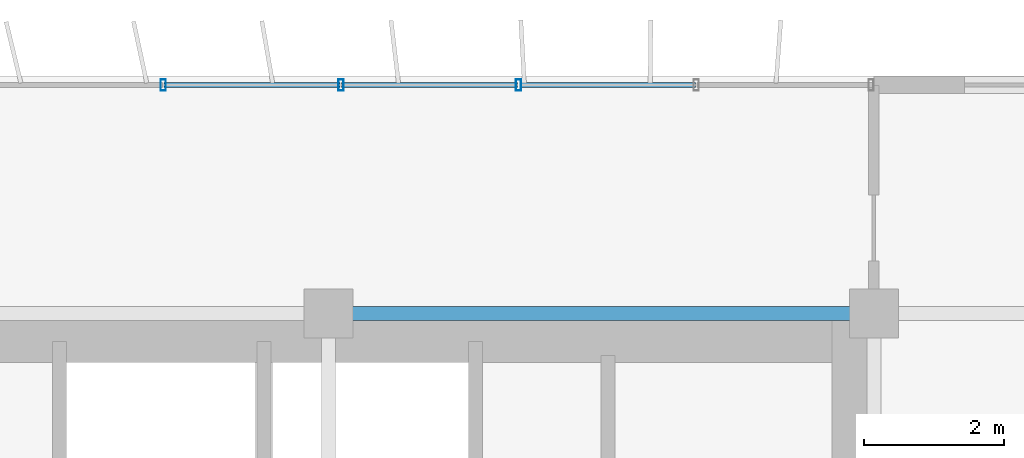
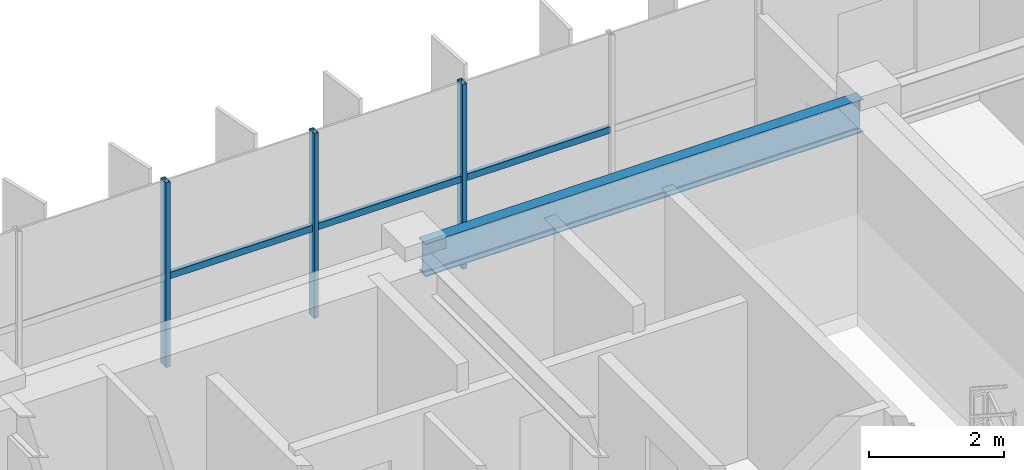
# One storey, part 10 of 21: 6 members, 1 beam, 1 element without a shape of its own.
"""IFC4 building model written with IfcOpenShell, lengths in metres."""

import ifcopenshell
import ifcopenshell.guid

model = None  # the IFC model being written
_history = None  # IfcOwnerHistory: only IFC2X3 demands one
_inside = {}  # id of a spatial element -> (the spatial element, [elements in it])
_under = {}  # id of a project, library or spatial element -> (it, [spatial elements below it])
_declared = {}  # id of a project -> (the project, [libraries it declares])
_typed = {}  # id of a type object -> (the type object, [elements of that type])
_made_of = {}  # id of a material, layer set ... -> (it, [elements and type objects made of it])


def new_model(schema):
    """Start an empty IFC model of exactly this schema.

    Asked for "IFC4X3", IfcOpenShell would pick the latest addendum, in which some entities
    have other attributes; the version numbers below select the first issue.
    IFC2X3 requires an IfcOwnerHistory on every rooted entity: one is made here for all.
    """
    global model, _history
    if schema == "IFC4X3":
        model = ifcopenshell.file(schema_version=(4, 3, 0, 0))
    else:
        model = ifcopenshell.file(schema=schema)
    _inside.clear()
    _under.clear()
    _declared.clear()
    _typed.clear()
    _made_of.clear()
    _history = None
    if model.schema == "IFC2X3":
        org = make("IfcOrganization", Name="unknown")
        user = make(
            "IfcPersonAndOrganization",
            ThePerson=make("IfcPerson", FamilyName="unknown"),
            TheOrganization=org,
        )
        app = make(
            "IfcApplication",
            ApplicationDeveloper=org,
            Version="unknown",
            ApplicationFullName="unknown",
            ApplicationIdentifier="unknown",
        )
        _history = make(
            "IfcOwnerHistory",
            OwningUser=user,
            OwningApplication=app,
            ChangeAction="ADDED",
            CreationDate=0,
        )
    return model


def make(cls, **values):
    """One entity of the class cls with the attributes given. An attribute that is None is left unset."""
    return model.create_entity(
        cls, **{name: value for name, value in values.items() if value is not None}
    )


def rooted(cls, **values):
    """An entity with a GlobalId (a new one), such as an element, a storey or a relation."""
    return make(cls, GlobalId=ifcopenshell.guid.new(), OwnerHistory=_history, **values)


def si_unit(unit_type, name, prefix=None):
    """IfcSIUnit, for example si_unit("LENGTHUNIT", "METRE", prefix="MILLI")."""
    return make("IfcSIUnit", UnitType=unit_type, Prefix=prefix, Name=name)


def assignment(units):
    """IfcUnitAssignment: the units of a project."""
    return None if units is None else make("IfcUnitAssignment", Units=units)


def point(xyz):
    """IfcCartesianPoint."""
    return None if xyz is None else make("IfcCartesianPoint", Coordinates=xyz)


def direction(xyz):
    """IfcDirection."""
    return None if xyz is None else make("IfcDirection", DirectionRatios=xyz)


def frame(location, z_axis=None, x_axis=None):
    """IfcAxis2Placement3D, a coordinate frame: its origin and axes. An axis left out is left unset."""
    return make(
        "IfcAxis2Placement3D",
        Location=point(location),
        Axis=direction(z_axis),
        RefDirection=direction(x_axis),
    )


def frame_2d(location, x_axis=None):
    """IfcAxis2Placement2D, a coordinate frame in the plane: its origin and x axis."""
    return make(
        "IfcAxis2Placement2D", Location=point(location), RefDirection=direction(x_axis)
    )


def origin():
    """The frame at (0, 0, 0) with its axes left unset."""
    return frame((0.0, 0.0, 0.0))


def origin_2d():
    """The frame at (0, 0) in the plane with its x axis left unset."""
    return frame_2d((0.0, 0.0))


def place(relative_to, where):
    """IfcLocalPlacement: puts the frame where relative to a parent placement (None: the world)."""
    return make(
        "IfcLocalPlacement", PlacementRelTo=relative_to, RelativePlacement=where
    )


def context(
    kind, dimensions, precision=None, world=None, true_north=None, identifier=None
):
    """IfcGeometricRepresentationContext, for example the 3D "Model" context."""
    return make(
        "IfcGeometricRepresentationContext",
        ContextIdentifier=identifier,
        ContextType=kind,
        CoordinateSpaceDimension=dimensions,
        Precision=precision,
        WorldCoordinateSystem=world,
        TrueNorth=true_north,
    )


def subcontext(parent, identifier, kind, view, scale=None):
    """IfcGeometricRepresentationSubContext, for example "Body" below "Model"."""
    return make(
        "IfcGeometricRepresentationSubContext",
        ContextIdentifier=identifier,
        ContextType=kind,
        ParentContext=parent,
        TargetScale=scale,
        TargetView=view,
    )


def project(units=None, contexts=None):
    """IfcProject with its units and contexts."""
    return rooted(
        "IfcProject",
        Name="project",
        RepresentationContexts=contexts,
        UnitsInContext=assignment(units),
    )


def spatial(cls, under=None, at=None, **own):
    """A site, building, storey or space (cls), placed at a placement, below another one or the project."""
    s = rooted(cls, ObjectPlacement=at, **own)
    if under is not None:
        _under.setdefault(under.id(), (under, []))[1].append(s)
    return s


def profile(cls, at=None, kind="AREA", **sizes):
    """A parametric profile (cls). Its sizes go by their IFC names, for example OverallWidth=200.0."""
    return make(cls, ProfileType=kind, Position=at, **sizes)


def hollow_rectangle(**sizes):
    """IfcRectangleHollowProfileDef."""
    return profile("IfcRectangleHollowProfileDef", **sizes)


def i_section(**sizes):
    """IfcIShapeProfileDef."""
    return profile("IfcIShapeProfileDef", **sizes)


def extrude(swept, where, along, depth):
    """IfcExtrudedAreaSolid: the profile swept, set in the frame where, extruded along a direction by depth."""
    return make(
        "IfcExtrudedAreaSolid",
        SweptArea=swept,
        Position=where,
        ExtrudedDirection=direction(along),
        Depth=depth,
    )


def shape(context_of_items, identifier, shape_type, items):
    """IfcShapeRepresentation: the items that make up one representation, for example the "Body"."""
    return make(
        "IfcShapeRepresentation",
        ContextOfItems=context_of_items,
        RepresentationIdentifier=identifier,
        RepresentationType=shape_type,
        Items=items,
    )


def source(mapping_origin, context_of_items, identifier, shape_type, items):
    """IfcRepresentationMap: a shape defined once, which mapped items show again and again."""
    return make(
        "IfcRepresentationMap",
        MappingOrigin=mapping_origin,
        MappedRepresentation=shape(context_of_items, identifier, shape_type, items),
    )


def transform(
    local_origin,
    x_axis=None,
    y_axis=None,
    z_axis=None,
    scale=None,
    scale2=None,
    scale3=None,
    uniform=True,
):
    """IfcCartesianTransformationOperator3D, or its non-uniform kind. x_axis, y_axis, z_axis: its Axis1, 2, 3."""
    if uniform:
        return make(
            "IfcCartesianTransformationOperator3D",
            Axis1=direction(x_axis),
            Axis2=direction(y_axis),
            LocalOrigin=point(local_origin),
            Scale=scale,
            Axis3=direction(z_axis),
        )
    return make(
        "IfcCartesianTransformationOperator3DnonUniform",
        Axis1=direction(x_axis),
        Axis2=direction(y_axis),
        LocalOrigin=point(local_origin),
        Scale=scale,
        Axis3=direction(z_axis),
        Scale2=scale2,
        Scale3=scale3,
    )


def mapped(mapping_source, mapping_target):
    """IfcMappedItem: shows the shape of a source again, moved by a transform."""
    return make(
        "IfcMappedItem", MappingSource=mapping_source, MappingTarget=mapping_target
    )


def material(Name=None, Category=None):
    """IfcMaterial."""
    return make("IfcMaterial", Name=Name, Category=Category)


def material_profile(
    of_material, cross_section, Name=None, Category=None, Priority=None
):
    """IfcMaterialProfile: a cross section and its material."""
    return make(
        "IfcMaterialProfile",
        Name=Name,
        Material=of_material,
        Profile=cross_section,
        Priority=Priority,
        Category=Category,
    )


def profile_set(profiles, Name=None, composite=None):
    """IfcMaterialProfileSet."""
    return make(
        "IfcMaterialProfileSet",
        Name=Name,
        MaterialProfiles=profiles,
        CompositeProfile=composite,
    )


def made_of(thing, what):
    """Note that an element or type object is made of a material, layer set ...; save() writes the relation."""
    if what is not None:
        _made_of.setdefault(what.id(), (what, []))[1].append(thing)
    return thing


def type_object(cls, material=None, **own):
    """A type object (cls), such as IfcWallType, which elements share."""
    return made_of(rooted(cls, **own), material)


def element(
    cls,
    number,
    at=None,
    inside=None,
    cuts=None,
    type_object=None,
    material=None,
    context=None,
    identifier="Body",
    shape_type=None,
    held_by="IfcProductDefinitionShape",
    body=None,
    shapes=None,
    **own,
):
    """One element of the class cls, such as IfcWall. Its Tag is "e" and its number.

    at: its placement. inside: the storey or other place that contains it. cuts: it is an
    opening in that element (IfcRelVoidsElement). A single representation is given by context,
    identifier, shape_type and body (its items); several are given by shapes. held_by: the class
    of the entity that holds the representations. save() writes the other relations.
    """
    e = rooted(cls, Tag="e%d" % number, ObjectPlacement=at, **own)
    if body is not None:
        shapes = [shape(context, identifier, shape_type, body)]
    if shapes is not None:
        e.Representation = make(held_by, Representations=shapes)
    if inside is not None:
        _inside.setdefault(inside.id(), (inside, []))[1].append(e)
    if cuts is not None:
        rooted(
            "IfcRelVoidsElement", RelatingBuildingElement=cuts, RelatedOpeningElement=e
        )
    if type_object is not None:
        _typed.setdefault(type_object.id(), (type_object, []))[1].append(e)
    return made_of(e, material)


def aggregate(whole, parts):
    """IfcRelAggregates: a whole, such as a stair, and the parts it consists of."""
    return rooted("IfcRelAggregates", RelatingObject=whole, RelatedObjects=parts)


def save(model, path):
    """Write the relations noted so far, then the file.

    IfcRelAggregates (storeys below a building ...), IfcRelContainedInSpatialStructure (elements
    in a storey), IfcRelDefinesByType, IfcRelAssociatesMaterial and IfcRelDeclares: one each for
    every whole, place, type object, material and project.
    """
    for whole, parts in _under.values():
        aggregate(whole, parts)
    for where, things in _inside.values():
        rooted(
            "IfcRelContainedInSpatialStructure",
            RelatedElements=things,
            RelatingStructure=where,
        )
    for kind, things in _typed.values():
        rooted("IfcRelDefinesByType", RelatedObjects=things, RelatingType=kind)
    for what, things in _made_of.values():
        rooted("IfcRelAssociatesMaterial", RelatedObjects=things, RelatingMaterial=what)
    for by, libraries in _declared.values():
        rooted("IfcRelDeclares", RelatingContext=by, RelatedDefinitions=libraries)
    model.write(path)


model = new_model("IFC4")

# Units and contexts
model_context = context("Model", 3, precision=1e-05, world=origin(), true_north=direction((0.0, 1.0)))
body_context = subcontext(model_context, "Body", "Model", "MODEL_VIEW")
ifc_project = project(units=[si_unit("LENGTHUNIT", "METRE"), si_unit("AREAUNIT", "SQUARE_METRE"), si_unit("VOLUMEUNIT", "CUBIC_METRE"), si_unit("PLANEANGLEUNIT", "RADIAN"), si_unit("MASSUNIT", "GRAM", prefix="KILO")], contexts=[model_context])

# Site, building, storey
site_placement = place(None, origin())
site = spatial("IfcSite", under=ifc_project, at=site_placement, CompositionType="ELEMENT")
building_placement = place(site_placement, origin())
building = spatial("IfcBuilding", under=site, at=building_placement, Name="Trelvane Seafront Commons", CompositionType="ELEMENT")
storey_placement = place(building_placement, frame((0.0, 0.0, 135.699951171875)))
storey = spatial("IfcBuildingStorey", under=building, at=storey_placement, Name="L35", CompositionType="ELEMENT", Elevation=135.699951171875)

# Beam
ifc_material_1 = material(Name="Steel SM355 (S355)", Category="steel")
ifc_material_profile_1 = material_profile(ifc_material_1, i_section(OverallWidth=0.199951171875, OverallDepth=0.60009765625, WebThickness=0.010986328125, FlangeThickness=0.01708984375, at=origin_2d()), Name="H-600x200x11x17")
ifc_profile_set_1 = profile_set([ifc_material_profile_1], Name="Steel SM355 (S355)")
beam_type = type_object("IfcBeamType", Name="STR-SPD-H600", PredefinedType="SPANDREL", material=ifc_profile_set_1)
shared_shape_1 = source(origin(), body_context, "Body", "SweptSolid", [
    extrude(i_section(OverallWidth=0.199951171875, OverallDepth=0.60009765625, WebThickness=0.010986328125, FlangeThickness=0.01708984375, at=origin_2d()), origin(), (0.0, 0.0, 1.0), 7.5),
])
beam_placement = place(storey_placement, frame((51.14990234375, 45.10009765625, 3.050048828125), z_axis=(1.0, 0.0, 0.0), x_axis=(0.0, 1.0, 0.0)))
element("IfcBeam", 1, at=beam_placement, inside=storey, type_object=beam_type, Name="L35 Primary Girder G-27", PredefinedType="SPANDREL", context=body_context, shape_type="MappedRepresentation", body=[
    mapped(shared_shape_1, transform((0.0, 0.0, 0.0), x_axis=(1.0, 0.0, 0.0), y_axis=(0.0, 1.0, 0.0), z_axis=(0.0, 0.0, 1.0), scale=1.0)),
])

# Curtain wall, members
ifc_material_2 = material(Name="Anodised pale-silver aluminium", Category="aluminium")
curtain_wall_type = type_object("IfcCurtainWallType", Name="ARCH-CW5-UPTOWER", PredefinedType="NOTDEFINED", material=ifc_material_2)
curtain_wall_placement = place(storey_placement, origin())
curtain_wall = element("IfcCurtainWall", 2, at=curtain_wall_placement, inside=storey, type_object=curtain_wall_type, Name="CW-L35-0062", PredefinedType="NOTDEFINED")
ifc_material_profile_2 = material_profile(ifc_material_2, hollow_rectangle(XDim=0.070068359375, YDim=0.1201171875, WallThickness=0.00390625, at=origin_2d()), Name="TRAN-70x120x4")
ifc_profile_set_2 = profile_set([ifc_material_profile_2], Name="Anodised pale-silver aluminium")
member_type_1 = type_object("IfcMemberType", Name="ARCH-CW-TRAN-120", PredefinedType="USERDEFINED", material=ifc_profile_set_2)
shared_shape_2 = source(origin(), body_context, "Body", "SweptSolid", [
    extrude(hollow_rectangle(XDim=0.070068359375, YDim=0.1201171875, WallThickness=0.00390625, at=origin_2d()), origin(), (0.0, 0.0, 1.0), 2.51708984375),
])
member_1_placement = place(storey_placement, frame((51.1884765625, 48.3701171875, 1.608154296875), z_axis=(1.0, 0.0, 0.0), x_axis=(0.0, 1.0, 0.0)))
member_1 = element("IfcMember", 3, at=member_1_placement, type_object=member_type_1, Name="CW-L35-0062-T14", ObjectType="TRANSOM", PredefinedType="USERDEFINED", context=body_context, shape_type="MappedRepresentation", body=[
    mapped(shared_shape_2, transform((0.0, 0.0, 0.0), x_axis=(1.0, 0.0, 0.0), y_axis=(0.0, 1.0, 0.0), z_axis=(0.0, 0.0, 1.0), scale=1.0)),
])
shared_shape_3 = source(origin(), body_context, "Body", "SweptSolid", [
    extrude(hollow_rectangle(XDim=0.070068359375, YDim=0.1201171875, WallThickness=0.00390625, at=origin_2d()), origin(), (0.0, 0.0, 1.0), 2.517333984375),
])
member_2_placement = place(storey_placement, frame((48.647216796875, 48.3701171875, 1.608154296875), z_axis=(1.0, 0.0, 0.0), x_axis=(0.0, 1.0, 0.0)))
member_2 = element("IfcMember", 4, at=member_2_placement, type_object=member_type_1, Name="CW-L35-0062-T13", ObjectType="TRANSOM", PredefinedType="USERDEFINED", context=body_context, shape_type="MappedRepresentation", body=[
    mapped(shared_shape_3, transform((0.0, 0.0, 0.0), x_axis=(1.0, 0.0, 0.0), y_axis=(0.0, 1.0, 0.0), z_axis=(0.0, 0.0, 1.0), scale=1.0)),
])
member_3_placement = place(storey_placement, frame((53.7294921875, 48.3701171875, 1.608154296875), z_axis=(1.0, 0.0, 0.0), x_axis=(0.0, 1.0, 0.0)))
member_3 = element("IfcMember", 5, at=member_3_placement, type_object=member_type_1, Name="CW-L35-0062-T15", ObjectType="TRANSOM", PredefinedType="USERDEFINED", context=body_context, shape_type="MappedRepresentation", body=[
    mapped(shared_shape_3, transform((0.0, 0.0, 0.0), x_axis=(1.0, 0.0, 0.0), y_axis=(0.0, 1.0, 0.0), z_axis=(0.0, 0.0, 1.0), scale=1.0)),
])
ifc_material_profile_3 = material_profile(ifc_material_2, hollow_rectangle(XDim=0.074951171875, YDim=0.159912109375, WallThickness=0.00390625, at=origin_2d()), Name="MULL-75x160x4")
ifc_profile_set_3 = profile_set([ifc_material_profile_3], Name="Anodised pale-silver aluminium")
member_type_2 = type_object("IfcMemberType", Name="ARCH-CW-MULL-160", PredefinedType="MULLION", material=ifc_profile_set_3)
shared_shape_4 = source(origin(), body_context, "Body", "SweptSolid", [
    extrude(hollow_rectangle(XDim=0.074951171875, YDim=0.159912109375, WallThickness=0.00390625, at=origin_2d()), origin(), (0.0, 0.0, 1.0), 3.35009765625),
])
member_4_placement = place(storey_placement, frame((48.63525390625, 48.3701171875, 0.0), z_axis=(0.0, 0.0, 1.0), x_axis=(1.0, 0.0, 0.0)))
member_4 = element("IfcMember", 6, at=member_4_placement, type_object=member_type_2, Name="CW-L35-0062-M13", PredefinedType="MULLION", context=body_context, shape_type="MappedRepresentation", body=[
    mapped(shared_shape_4, transform((0.0, 0.0, 0.0), x_axis=(1.0, 0.0, 0.0), y_axis=(0.0, 1.0, 0.0), z_axis=(0.0, 0.0, 1.0), scale=1.0)),
])
member_5_placement = place(storey_placement, frame((51.176513671875, 48.3701171875, 0.0), z_axis=(0.0, 0.0, 1.0), x_axis=(1.0, 0.0, 0.0)))
member_5 = element("IfcMember", 7, at=member_5_placement, type_object=member_type_2, Name="CW-L35-0062-M14", PredefinedType="MULLION", context=body_context, shape_type="MappedRepresentation", body=[
    mapped(shared_shape_4, transform((0.0, 0.0, 0.0), x_axis=(1.0, 0.0, 0.0), y_axis=(0.0, 1.0, 0.0), z_axis=(0.0, 0.0, 1.0), scale=1.0)),
])
member_6_placement = place(storey_placement, frame((53.717529296875, 48.3701171875, 0.0), z_axis=(0.0, 0.0, 1.0), x_axis=(1.0, 0.0, 0.0)))
member_6 = element("IfcMember", 8, at=member_6_placement, type_object=member_type_2, Name="CW-L35-0062-M15", PredefinedType="MULLION", context=body_context, shape_type="MappedRepresentation", body=[
    mapped(shared_shape_4, transform((0.0, 0.0, 0.0), x_axis=(1.0, 0.0, 0.0), y_axis=(0.0, 1.0, 0.0), z_axis=(0.0, 0.0, 1.0), scale=1.0)),
])
aggregate(curtain_wall, [member_4, member_5, member_6, member_2, member_1, member_3])

save(model, "model.ifc")
